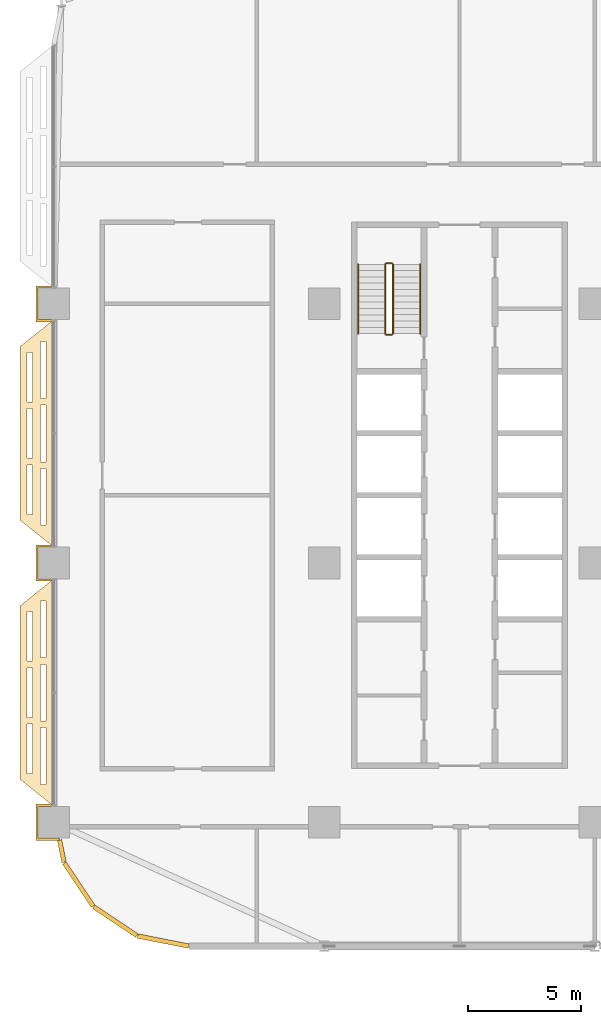
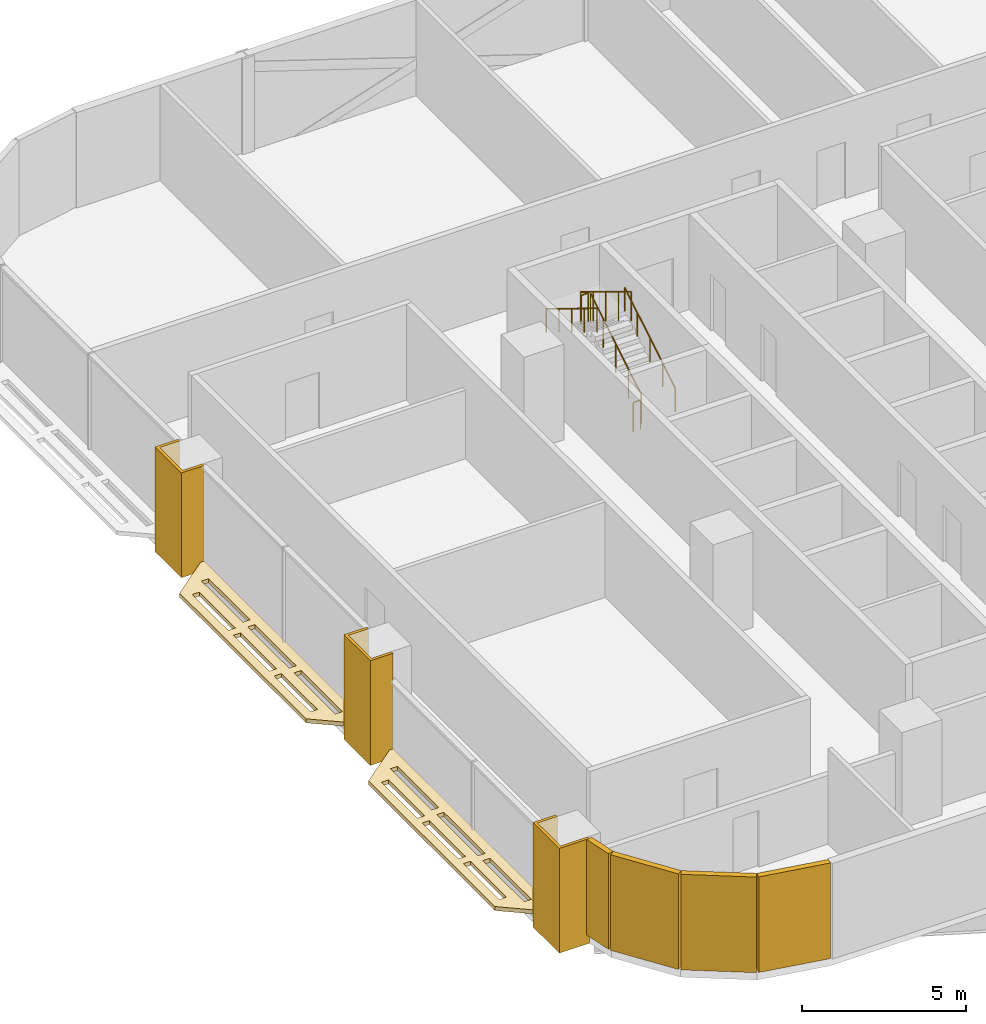
# One storey, part 23 of 29: 9 coverings, 6 railings.
"""IFC4 building model written with IfcOpenShell, lengths in metres."""

from ifc_helpers import new_model, si_unit, direction, frame, origin, origin_2d, place, context, subcontext, project, spatial, polyline, rectangle, circle, outline, extrude, material, layer, layer_set, type_object, element, save


model = new_model("IFC4")

# Units and contexts
model_context = context("Model", 3, precision=1e-05, world=origin(), true_north=direction((0.0, 1.0)))
body_context = subcontext(model_context, "Body", "Model", "MODEL_VIEW")
ifc_project = project(units=[si_unit("LENGTHUNIT", "METRE"), si_unit("AREAUNIT", "SQUARE_METRE"), si_unit("VOLUMEUNIT", "CUBIC_METRE"), si_unit("PLANEANGLEUNIT", "RADIAN"), si_unit("MASSUNIT", "GRAM", prefix="KILO")], contexts=[model_context])

# Site, building, storey
site_placement = place(None, origin())
site = spatial("IfcSite", under=ifc_project, at=site_placement, CompositionType="ELEMENT")
building_placement = place(site_placement, origin())
building = spatial("IfcBuilding", under=site, at=building_placement, Name="Mahtab Terrace Research Tower", CompositionType="ELEMENT")
storey_placement = place(building_placement, frame((0.0, 0.0, 113.5)))
storey = spatial("IfcBuildingStorey", under=building, at=storey_placement, Name="L26", CompositionType="ELEMENT", Elevation=113.5)

# Coverings
ifc_material_1 = material(Name="Black aluminium cladding panel", Category="aluminium")
ifc_layer_1 = layer(ifc_material_1, 0.199951171875)
ifc_layer_set_1 = layer_set([ifc_layer_1], Name="Black metal corner cladding 200")
covering_type_1 = type_object("IfcCoveringType", Name="Black metal corner cladding 200", PredefinedType="CLADDING", material=ifc_layer_set_1)
covering_1_placement = place(storey_placement, frame((-41.645263671875, -12.782470703125, 0.0), z_axis=(0.0, 0.0, 1.0), x_axis=(0.195212442692, -0.980760981187, 0.0)))
element("IfcCovering", 1, at=covering_1_placement, inside=storey, type_object=covering_type_1, Name="Corner cladding L26 19", PredefinedType="CLADDING", context=body_context, shape_type="SweptSolid", body=[
    extrude(rectangle(XDim=1.007568359375, YDim=0.199951171875, at=origin_2d()), origin(), (0.0, 0.0, 1.0), 3.550048828125),
])
for number, where, z_axis, x_axis, name in (
    (2, (-40.89306640625, -14.26953125, 0.0), (0.0, 0.0, 1.0), (0.555291490808, -0.831655794326, 0.0), "Corner cladding L26 20"),
    (3, (-39.26953125, -15.89306640625, 0.0), (0.0, 0.0, 1.0), (0.831655794326, -0.555291490808, 0.0), "Corner cladding L26 21"),
    (4, (-37.14794921875, -16.771484375, 0.0), (0.0, 0.0, 1.0), (0.980760981187, -0.195212442692, 0.0), "Corner cladding L26 22"),
):
    element("IfcCovering", number, at=place(storey_placement, frame(where, z_axis=z_axis, x_axis=x_axis)), inside=storey, type_object=covering_type_1, Name=name, PredefinedType="CLADDING", context=body_context, shape_type="SweptSolid", body=[
        extrude(rectangle(XDim=2.30126953125, YDim=0.199951171875, at=origin_2d()), origin(), (0.0, 0.0, 1.0), 3.550048828125),
    ])
ifc_material_2 = material(Name="Dark anodised aluminium cladding", Category="aluminium")
ifc_layer_2 = layer(ifc_material_2, 0.10009765625)
ifc_layer_set_2 = layer_set([ifc_layer_2], Name="Column casing 100")
covering_type_2 = type_object("IfcCoveringType", Name="Column casing 100", PredefinedType="CLADDING", material=ifc_layer_set_2)
covering_2_placement = place(storey_placement, frame((0.0, 0.0, -0.340087890625)))
element("IfcCovering", 5, at=covering_2_placement, inside=storey, type_object=covering_type_2, Name="Column casing RC-1A L26", PredefinedType="CLADDING", context=body_context, shape_type="SweptSolid", body=[
    extrude(outline(polyline([(-42.800048828125, -10.699951171875), (-42.0, -10.699951171875), (-42.0, -10.800048828125), (-42.699951171875, -10.800048828125), (-42.699951171875, -12.199951171875), (-41.760986328125, -12.199951171875), (-41.740966796875, -12.300048828125), (-42.800048828125, -12.300048828125), (-42.800048828125, -10.699951171875)])), origin(), (0.0, 0.0, 1.0), 3.89013671875),
])
covering_3_placement = place(storey_placement, frame((0.0, 0.0, -0.340087890625)))
element("IfcCovering", 6, at=covering_3_placement, inside=storey, type_object=covering_type_2, Name="Column casing RC-1B L26", PredefinedType="CLADDING", context=body_context, shape_type="SweptSolid", body=[
    extrude(outline(polyline([(-42.800048828125, 0.800048828125), (-42.0, 0.800048828125), (-42.0, 0.699951171875), (-42.699951171875, 0.699951171875), (-42.699951171875, -0.699951171875), (-42.0, -0.699951171875), (-42.0, -0.800048828125), (-42.800048828125, -0.800048828125), (-42.800048828125, 0.800048828125)])), origin(), (0.0, 0.0, 1.0), 3.89013671875),
])
covering_4_placement = place(storey_placement, frame((0.0, 0.0, -0.340087890625)))
element("IfcCovering", 7, at=covering_4_placement, inside=storey, type_object=covering_type_2, Name="Column casing RC-1C L26", PredefinedType="CLADDING", context=body_context, shape_type="SweptSolid", body=[
    extrude(outline(polyline([(-42.800048828125, 12.300048828125), (-42.0, 12.300048828125), (-42.0, 12.199951171875), (-42.699951171875, 12.199951171875), (-42.699951171875, 10.800048828125), (-42.0, 10.800048828125), (-42.0, 10.699951171875), (-42.800048828125, 10.699951171875), (-42.800048828125, 12.300048828125)])), origin(), (0.0, 0.0, 1.0), 3.89013671875),
])
ifc_material_3 = material(Name="Black anodised aluminium", Category="aluminium")
ifc_layer_3 = layer(ifc_material_3, 0.14990234375)
ifc_layer_set_3 = layer_set([ifc_layer_3], Name="Horizontal sunshade band")
covering_type_3 = type_object("IfcCoveringType", Name="Horizontal sunshade band", PredefinedType="CLADDING", material=ifc_layer_set_3)
covering_5_placement = place(storey_placement, frame((0.0, 0.0, -0.14990234375)))
element("IfcCovering", 8, at=covering_5_placement, inside=storey, type_object=covering_type_3, Name="Sunshade band L26 17", PredefinedType="CLADDING", context=body_context, shape_type="SweptSolid", body=[
    extrude(outline(polyline([(-42.0, 10.800048828125), (-42.0, 0.699951171875), (-43.5, 1.89990234375), (-43.5, 9.60009765625), (-42.0, 10.800048828125)]), holes=[polyline([(-42.35009765625, 9.820068359375), (-42.35009765625, 7.306884765625), (-42.60009765625, 7.306884765625), (-42.60009765625, 9.820068359375), (-42.35009765625, 9.820068359375)]), polyline([(-42.35009765625, 7.007080078125), (-42.35009765625, 4.492919921875), (-42.60009765625, 4.492919921875), (-42.60009765625, 7.007080078125), (-42.35009765625, 7.007080078125)]), polyline([(-42.35009765625, 4.193115234375), (-42.35009765625, 1.679931640625), (-42.60009765625, 1.679931640625), (-42.60009765625, 4.193115234375), (-42.35009765625, 4.193115234375)]), polyline([(-42.949951171875, 9.340087890625), (-42.949951171875, 7.14697265625), (-43.199951171875, 7.14697265625), (-43.199951171875, 9.340087890625), (-42.949951171875, 9.340087890625)]), polyline([(-42.949951171875, 6.846923828125), (-42.949951171875, 4.653076171875), (-43.199951171875, 4.653076171875), (-43.199951171875, 6.846923828125), (-42.949951171875, 6.846923828125)]), polyline([(-42.949951171875, 4.35302734375), (-42.949951171875, 2.159912109375), (-43.199951171875, 2.159912109375), (-43.199951171875, 4.35302734375), (-42.949951171875, 4.35302734375)])]), origin(), (0.0, 0.0, 1.0), 0.14990234375),
])
covering_6_placement = place(storey_placement, frame((0.0, 0.0, -0.14990234375)))
element("IfcCovering", 9, at=covering_6_placement, inside=storey, type_object=covering_type_3, Name="Sunshade band L26 18", PredefinedType="CLADDING", context=body_context, shape_type="SweptSolid", body=[
    extrude(outline(polyline([(-42.0, -0.699951171875), (-42.0, -10.800048828125), (-43.5, -9.60009765625), (-43.5, -1.89990234375), (-42.0, -0.699951171875)]), holes=[polyline([(-42.35009765625, -1.679931640625), (-42.35009765625, -4.193115234375), (-42.60009765625, -4.193115234375), (-42.60009765625, -1.679931640625), (-42.35009765625, -1.679931640625)]), polyline([(-42.35009765625, -4.492919921875), (-42.35009765625, -7.007080078125), (-42.60009765625, -7.007080078125), (-42.60009765625, -4.492919921875), (-42.35009765625, -4.492919921875)]), polyline([(-42.35009765625, -7.306884765625), (-42.35009765625, -9.820068359375), (-42.60009765625, -9.820068359375), (-42.60009765625, -7.306884765625), (-42.35009765625, -7.306884765625)]), polyline([(-42.949951171875, -2.159912109375), (-42.949951171875, -4.35302734375), (-43.199951171875, -4.35302734375), (-43.199951171875, -2.159912109375), (-42.949951171875, -2.159912109375)]), polyline([(-42.949951171875, -4.653076171875), (-42.949951171875, -6.846923828125), (-43.199951171875, -6.846923828125), (-43.199951171875, -4.653076171875), (-42.949951171875, -4.653076171875)]), polyline([(-42.949951171875, -7.14697265625), (-42.949951171875, -9.340087890625), (-43.199951171875, -9.340087890625), (-43.199951171875, -7.14697265625), (-42.949951171875, -7.14697265625)])]), origin(), (0.0, 0.0, 1.0), 0.14990234375),
])

# Railings
ifc_material_4 = material(Name="Stainless steel AISI 304", Category="steel")
railing_type_1 = type_object("IfcRailingType", Name="Stair guard 1100", PredefinedType="GUARDRAIL", material=ifc_material_4)
railing_1_placement = place(storey_placement, frame((-26.949951171875, 10.175048828125, 0.1708984375)))
element("IfcRailing", 10, at=railing_1_placement, inside=storey, type_object=railing_type_1, Name="L26 ST1 stair guard 1", PredefinedType="GUARDRAIL", context=body_context, shape_type="SweptSolid", body=[
    extrude(circle(Radius=0.02392578125, at=origin_2d()), frame((0.0, 0.0, 1.076171875), z_axis=(0.0, 0.853647949592, 0.520850437417), x_axis=(-1.0, 0.0, 0.0)), (0.0, 0.0, 1.0), 3.60791015625),
    extrude(circle(Radius=0.02099609375, at=origin_2d()), origin(), (0.0, 0.0, 1.0), 1.052001953125),
    extrude(circle(Radius=0.02099609375, at=origin_2d()), frame((0.0, 0.77001953125, 0.4697265625)), (0.0, 0.0, 1.0), 1.052001953125),
    extrude(circle(Radius=0.02099609375, at=origin_2d()), frame((0.0, 1.5400390625, 0.939453125)), (0.0, 0.0, 1.0), 1.052001953125),
    extrude(circle(Radius=0.02099609375, at=origin_2d()), frame((0.0, 2.309814453125, 1.409423828125)), (0.0, 0.0, 1.0), 1.052001953125),
    extrude(circle(Radius=0.02099609375, at=origin_2d()), frame((0.0, 3.079833984375, 1.879150390625)), (0.0, 0.0, 1.0), 1.052001953125),
])
railing_2_placement = place(storey_placement, frame((-27.0, 13.304931640625, 2.050048828125)))
element("IfcRailing", 11, at=railing_2_placement, inside=storey, type_object=railing_type_1, Name="L26 ST1 stair guard 2", PredefinedType="GUARDRAIL", context=body_context, shape_type="SweptSolid", body=[
    extrude(circle(Radius=0.02392578125, at=origin_2d()), frame((0.0, 0.0, 1.076171875), z_axis=(-1.0, 0.0, 0.0), x_axis=(0.0, -1.0, 0.0)), (0.0, 0.0, 1.0), 0.25),
    extrude(circle(Radius=0.02099609375, at=origin_2d()), origin(), (0.0, 0.0, 1.0), 1.052001953125),
    extrude(circle(Radius=0.02099609375, at=origin_2d()), frame((-0.25, 0.0, 0.0)), (0.0, 0.0, 1.0), 1.052001953125),
])
railing_3_placement = place(storey_placement, frame((-27.300048828125, 13.2548828125, 2.220947265625)))
element("IfcRailing", 12, at=railing_3_placement, inside=storey, type_object=railing_type_1, Name="L26 ST1 stair guard 3", PredefinedType="GUARDRAIL", context=body_context, shape_type="SweptSolid", body=[
    extrude(circle(Radius=0.02392578125, at=origin_2d()), frame((0.0, 0.0, 1.076171875), z_axis=(0.0, -0.853647949592, 0.520850437417), x_axis=(1.0, 0.0, 0.0)), (0.0, 0.0, 1.0), 3.60791015625),
    extrude(circle(Radius=0.02099609375, at=origin_2d()), origin(), (0.0, 0.0, 1.0), 1.052001953125),
    extrude(circle(Radius=0.02099609375, at=origin_2d()), frame((0.0, -0.77001953125, 0.4697265625)), (0.0, 0.0, 1.0), 1.052001953125),
    extrude(circle(Radius=0.02099609375, at=origin_2d()), frame((0.0, -1.5400390625, 0.939453125)), (0.0, 0.0, 1.0), 1.052001953125),
    extrude(circle(Radius=0.02099609375, at=origin_2d()), frame((0.0, -2.309814453125, 1.409423828125)), (0.0, 0.0, 1.0), 1.052001953125),
    extrude(circle(Radius=0.02099609375, at=origin_2d()), frame((0.0, -3.079833984375, 1.879150390625)), (0.0, 0.0, 1.0), 1.052001953125),
])
railing_4_placement = place(storey_placement, frame((-27.0, 10.125, 0.0)))
element("IfcRailing", 13, at=railing_4_placement, inside=storey, type_object=railing_type_1, Name="L26 ST1 stair guard 4", PredefinedType="GUARDRAIL", context=body_context, shape_type="SweptSolid", body=[
    extrude(circle(Radius=0.02392578125, at=origin_2d()), frame((0.0, 0.0, 1.076171875), z_axis=(-1.0, 0.0, 0.0), x_axis=(0.0, -1.0, 0.0)), (0.0, 0.0, 1.0), 0.25),
    extrude(circle(Radius=0.02099609375, at=origin_2d()), origin(), (0.0, 0.0, 1.0), 1.052001953125),
    extrude(circle(Radius=0.02099609375, at=origin_2d()), frame((-0.25, 0.0, 0.0)), (0.0, 0.0, 1.0), 1.052001953125),
])
railing_type_2 = type_object("IfcRailingType", Name="Stair handrail 900", PredefinedType="HANDRAIL", material=ifc_material_4)
railing_5_placement = place(storey_placement, frame((-25.75, 10.175048828125, 0.1708984375)))
element("IfcRailing", 14, at=railing_5_placement, inside=storey, type_object=railing_type_2, Name="L26 ST1 stair handrail 1", PredefinedType="HANDRAIL", context=body_context, shape_type="SweptSolid", body=[
    extrude(circle(Radius=0.02392578125, at=origin_2d()), frame((0.0, 0.0, 0.8759765625), z_axis=(0.0, 0.853647949592, 0.520850437417), x_axis=(-1.0, 0.0, 0.0)), (0.0, 0.0, 1.0), 3.60791015625),
    extrude(circle(Radius=0.02099609375, at=origin_2d()), origin(), (0.0, 0.0, 1.0), 0.851806640625),
    extrude(circle(Radius=0.02099609375, at=origin_2d()), frame((0.0, 0.77001953125, 0.4697265625)), (0.0, 0.0, 1.0), 0.851806640625),
    extrude(circle(Radius=0.02099609375, at=origin_2d()), frame((0.0, 1.5400390625, 0.939453125)), (0.0, 0.0, 1.0), 0.851806640625),
    extrude(circle(Radius=0.02099609375, at=origin_2d()), frame((0.0, 2.309814453125, 1.409423828125)), (0.0, 0.0, 1.0), 0.851806640625),
    extrude(circle(Radius=0.02099609375, at=origin_2d()), frame((0.0, 3.079833984375, 1.879150390625)), (0.0, 0.0, 1.0), 0.851806640625),
])
railing_6_placement = place(storey_placement, frame((-28.5, 13.2548828125, 2.220947265625)))
element("IfcRailing", 15, at=railing_6_placement, inside=storey, type_object=railing_type_2, Name="L26 ST1 stair handrail 2", PredefinedType="HANDRAIL", context=body_context, shape_type="SweptSolid", body=[
    extrude(circle(Radius=0.02392578125, at=origin_2d()), frame((0.0, 0.0, 0.8759765625), z_axis=(0.0, -0.853647949592, 0.520850437417), x_axis=(1.0, 0.0, 0.0)), (0.0, 0.0, 1.0), 3.60791015625),
    extrude(circle(Radius=0.02099609375, at=origin_2d()), origin(), (0.0, 0.0, 1.0), 0.851806640625),
    extrude(circle(Radius=0.02099609375, at=origin_2d()), frame((0.0, -0.77001953125, 0.4697265625)), (0.0, 0.0, 1.0), 0.851806640625),
    extrude(circle(Radius=0.02099609375, at=origin_2d()), frame((0.0, -1.5400390625, 0.939453125)), (0.0, 0.0, 1.0), 0.851806640625),
    extrude(circle(Radius=0.02099609375, at=origin_2d()), frame((0.0, -2.309814453125, 1.409423828125)), (0.0, 0.0, 1.0), 0.851806640625),
    extrude(circle(Radius=0.02099609375, at=origin_2d()), frame((0.0, -3.079833984375, 1.879150390625)), (0.0, 0.0, 1.0), 0.851806640625),
])

save(model, "model.ifc")
